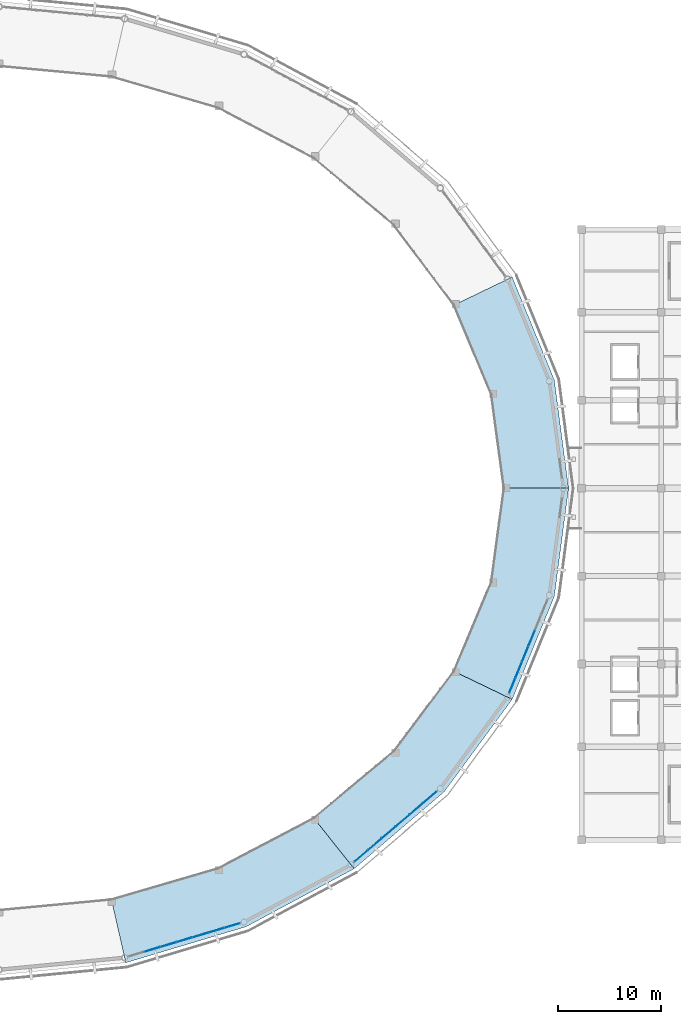
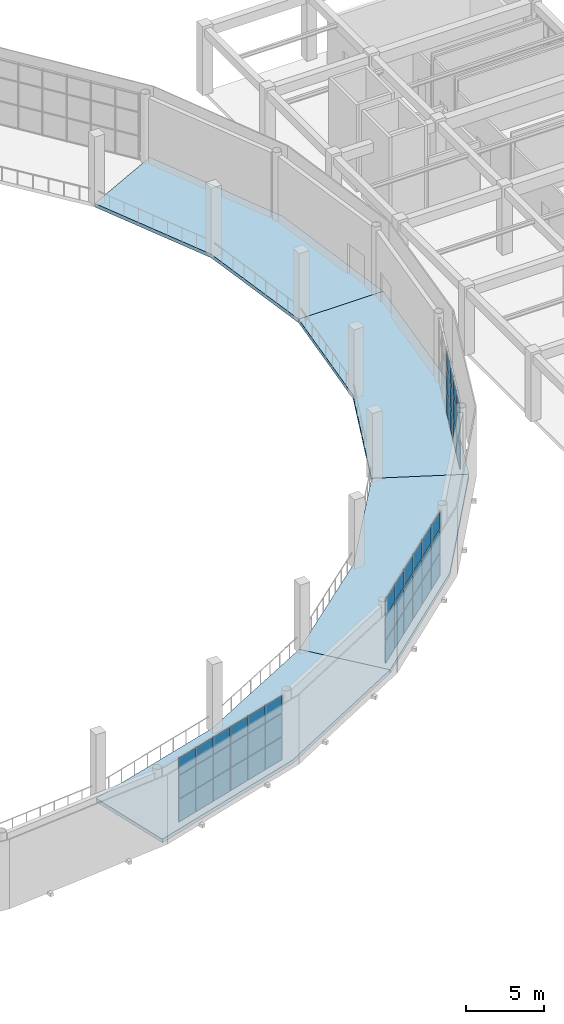
# One storey, part 26 of 40: 48 plates, 4 slabs, 3 elements without a shape of their own.
"""IFC4 building model written with IfcOpenShell, lengths in metres."""

from ifc_helpers import new_model, si_unit, direction, frame, origin, origin_2d, place, context, subcontext, project, spatial, polyline, rectangle, outline, extrude, material, layer, layer_set, type_object, element, aggregate, save


model = new_model("IFC4")

# Units and contexts
model_context = context("Model", 3, precision=1e-05, world=origin(), true_north=direction((0.0, 1.0)))
body_context = subcontext(model_context, "Body", "Model", "MODEL_VIEW")
ifc_project = project(units=[si_unit("LENGTHUNIT", "METRE"), si_unit("AREAUNIT", "SQUARE_METRE"), si_unit("VOLUMEUNIT", "CUBIC_METRE"), si_unit("PLANEANGLEUNIT", "RADIAN"), si_unit("MASSUNIT", "GRAM", prefix="KILO")], contexts=[model_context])

# Site, building, storey
site_placement = place(None, origin())
site = spatial("IfcSite", under=ifc_project, at=site_placement, CompositionType="ELEMENT")
building_placement = place(site_placement, origin())
building = spatial("IfcBuilding", under=site, at=building_placement, Name="Cuetzalor Civic Arena", CompositionType="ELEMENT")
storey_placement = place(building_placement, frame((0.0, 0.0, 26.39990234375)))
storey = spatial("IfcBuildingStorey", under=building, at=storey_placement, Name="L05", CompositionType="ELEMENT", Elevation=26.39990234375)

# Curtain wall, plates
ifc_material_1 = material(Name="Anodised dark bronze aluminium and low-E solar glass", Category="aluminium")
curtain_wall_type_1 = type_object("IfcCurtainWallType", Name="UnitisedCW_11300x5150", PredefinedType="USERDEFINED", material=ifc_material_1)
curtain_wall_1_placement = place(storey_placement, origin())
curtain_wall_1 = element("IfcCurtainWall", 1, at=curtain_wall_1_placement, inside=storey, type_object=curtain_wall_type_1, Name="Drum Triangle Foyer Curtain Wall L05-078", ObjectType="UNITISED CURTAIN WALL", PredefinedType="USERDEFINED")
ifc_material_2 = material(Name="Acoustic laminated solar control glass", Category="glass")
ifc_layer_1 = layer(ifc_material_2, 0.0439453125)
ifc_layer_set_1 = layer_set([ifc_layer_1], Name="Acoustic laminated solar control glass")
plate_type = type_object("IfcPlateType", Name="AcousticTripleGlazedPanel_44", PredefinedType="CURTAIN_PANEL", material=ifc_layer_set_1)
plate_1_placement = place(storey_placement, frame((22.53125, -42.279541015625, 0.0703125), z_axis=(0.0, 0.0, 1.0), x_axis=(-0.958193690548, -0.286120344251, 0.0)))
plate_1 = element("IfcPlate", 2, at=plate_1_placement, type_object=plate_type, Name="CW-21 panel 1.1", PredefinedType="CURTAIN_PANEL", context=body_context, shape_type="SweptSolid", body=[
    extrude(rectangle(XDim=1.5107421875, YDim=0.0439453125, at=origin_2d()), origin(), (0.0, 0.0, 1.0), 1.743896484375),
])
plate_2_placement = place(storey_placement, frame((22.53125, -42.279541015625, 1.88427734375), z_axis=(0.0, 0.0, 1.0), x_axis=(-0.958193690548, -0.286120344251, 0.0)))
plate_2 = element("IfcPlate", 3, at=plate_2_placement, type_object=plate_type, Name="CW-21 panel 1.2", PredefinedType="CURTAIN_PANEL", context=body_context, shape_type="SweptSolid", body=[
    extrude(rectangle(XDim=1.5107421875, YDim=0.0439453125, at=origin_2d()), origin(), (0.0, 0.0, 1.0), 1.779052734375),
])
plate_3_placement = place(storey_placement, frame((22.53125, -42.279541015625, 3.733154296875), z_axis=(0.0, 0.0, 1.0), x_axis=(-0.958193690548, -0.286120344251, 0.0)))
plate_3 = element("IfcPlate", 4, at=plate_3_placement, type_object=plate_type, Name="CW-21 panel 1.3", PredefinedType="CURTAIN_PANEL", context=body_context, shape_type="SweptSolid", body=[
    extrude(rectangle(XDim=1.5107421875, YDim=0.0439453125, at=origin_2d()), origin(), (0.0, 0.0, 1.0), 1.3330078125),
])
plate_4_placement = place(storey_placement, frame((20.999755859375, -42.73681640625, 0.0703125), z_axis=(0.0, 0.0, 1.0), x_axis=(-0.958193690548, -0.286120344251, 0.0)))
plate_4 = element("IfcPlate", 5, at=plate_4_placement, type_object=plate_type, Name="CW-21 panel 2.1", PredefinedType="CURTAIN_PANEL", context=body_context, shape_type="SweptSolid", body=[
    extrude(rectangle(XDim=1.545654296875, YDim=0.0439453125, at=origin_2d()), origin(), (0.0, 0.0, 1.0), 1.743896484375),
])
plate_5_placement = place(storey_placement, frame((20.999755859375, -42.73681640625, 1.88427734375), z_axis=(0.0, 0.0, 1.0), x_axis=(-0.958193690548, -0.286120344251, 0.0)))
plate_5 = element("IfcPlate", 6, at=plate_5_placement, type_object=plate_type, Name="CW-21 panel 2.2", PredefinedType="CURTAIN_PANEL", context=body_context, shape_type="SweptSolid", body=[
    extrude(rectangle(XDim=1.545654296875, YDim=0.0439453125, at=origin_2d()), origin(), (0.0, 0.0, 1.0), 1.779052734375),
])
plate_6_placement = place(storey_placement, frame((20.999755859375, -42.73681640625, 3.733154296875), z_axis=(0.0, 0.0, 1.0), x_axis=(-0.958193690548, -0.286120344251, 0.0)))
plate_6 = element("IfcPlate", 7, at=plate_6_placement, type_object=plate_type, Name="CW-21 panel 2.3", PredefinedType="CURTAIN_PANEL", context=body_context, shape_type="SweptSolid", body=[
    extrude(rectangle(XDim=1.545654296875, YDim=0.0439453125, at=origin_2d()), origin(), (0.0, 0.0, 1.0), 1.3330078125),
])
plate_7_placement = place(storey_placement, frame((19.45166015625, -43.19921875, 0.0703125), z_axis=(0.0, 0.0, 1.0), x_axis=(-0.958193690548, -0.286120344251, 0.0)))
plate_7 = element("IfcPlate", 8, at=plate_7_placement, type_object=plate_type, Name="CW-21 panel 3.1", PredefinedType="CURTAIN_PANEL", context=body_context, shape_type="SweptSolid", body=[
    extrude(rectangle(XDim=1.545654296875, YDim=0.0439453125, at=origin_2d()), origin(), (0.0, 0.0, 1.0), 1.743896484375),
])
plate_8_placement = place(storey_placement, frame((19.45166015625, -43.19921875, 1.88427734375), z_axis=(0.0, 0.0, 1.0), x_axis=(-0.958193690548, -0.286120344251, 0.0)))
plate_8 = element("IfcPlate", 9, at=plate_8_placement, type_object=plate_type, Name="CW-21 panel 3.2", PredefinedType="CURTAIN_PANEL", context=body_context, shape_type="SweptSolid", body=[
    extrude(rectangle(XDim=1.545654296875, YDim=0.0439453125, at=origin_2d()), origin(), (0.0, 0.0, 1.0), 1.779052734375),
])
plate_9_placement = place(storey_placement, frame((19.45166015625, -43.19921875, 3.733154296875), z_axis=(0.0, 0.0, 1.0), x_axis=(-0.958193690548, -0.286120344251, 0.0)))
plate_9 = element("IfcPlate", 10, at=plate_9_placement, type_object=plate_type, Name="CW-21 panel 3.3", PredefinedType="CURTAIN_PANEL", context=body_context, shape_type="SweptSolid", body=[
    extrude(rectangle(XDim=1.545654296875, YDim=0.0439453125, at=origin_2d()), origin(), (0.0, 0.0, 1.0), 1.3330078125),
])
plate_10_placement = place(storey_placement, frame((17.903564453125, -43.66162109375, 0.0703125), z_axis=(0.0, 0.0, 1.0), x_axis=(-0.958193690548, -0.286120344251, 0.0)))
plate_10 = element("IfcPlate", 11, at=plate_10_placement, type_object=plate_type, Name="CW-21 panel 4.1", PredefinedType="CURTAIN_PANEL", context=body_context, shape_type="SweptSolid", body=[
    extrude(rectangle(XDim=1.545654296875, YDim=0.0439453125, at=origin_2d()), origin(), (0.0, 0.0, 1.0), 1.743896484375),
])
plate_11_placement = place(storey_placement, frame((17.903564453125, -43.66162109375, 1.88427734375), z_axis=(0.0, 0.0, 1.0), x_axis=(-0.958193690548, -0.286120344251, 0.0)))
plate_11 = element("IfcPlate", 12, at=plate_11_placement, type_object=plate_type, Name="CW-21 panel 4.2", PredefinedType="CURTAIN_PANEL", context=body_context, shape_type="SweptSolid", body=[
    extrude(rectangle(XDim=1.545654296875, YDim=0.0439453125, at=origin_2d()), origin(), (0.0, 0.0, 1.0), 1.779052734375),
])
plate_12_placement = place(storey_placement, frame((17.903564453125, -43.66162109375, 3.733154296875), z_axis=(0.0, 0.0, 1.0), x_axis=(-0.958193690548, -0.286120344251, 0.0)))
plate_12 = element("IfcPlate", 13, at=plate_12_placement, type_object=plate_type, Name="CW-21 panel 4.3", PredefinedType="CURTAIN_PANEL", context=body_context, shape_type="SweptSolid", body=[
    extrude(rectangle(XDim=1.545654296875, YDim=0.0439453125, at=origin_2d()), origin(), (0.0, 0.0, 1.0), 1.3330078125),
])
plate_13_placement = place(storey_placement, frame((16.355224609375, -44.123779296875, 0.0703125), z_axis=(0.0, 0.0, 1.0), x_axis=(-0.958193690548, -0.286120344251, 0.0)))
plate_13 = element("IfcPlate", 14, at=plate_13_placement, type_object=plate_type, Name="CW-21 panel 5.1", PredefinedType="CURTAIN_PANEL", context=body_context, shape_type="SweptSolid", body=[
    extrude(rectangle(XDim=1.545654296875, YDim=0.0439453125, at=origin_2d()), origin(), (0.0, 0.0, 1.0), 1.743896484375),
])
plate_14_placement = place(storey_placement, frame((16.355224609375, -44.123779296875, 1.88427734375), z_axis=(0.0, 0.0, 1.0), x_axis=(-0.958193690548, -0.286120344251, 0.0)))
plate_14 = element("IfcPlate", 15, at=plate_14_placement, type_object=plate_type, Name="CW-21 panel 5.2", PredefinedType="CURTAIN_PANEL", context=body_context, shape_type="SweptSolid", body=[
    extrude(rectangle(XDim=1.545654296875, YDim=0.0439453125, at=origin_2d()), origin(), (0.0, 0.0, 1.0), 1.779052734375),
])
plate_15_placement = place(storey_placement, frame((16.355224609375, -44.123779296875, 3.733154296875), z_axis=(0.0, 0.0, 1.0), x_axis=(-0.958193690548, -0.286120344251, 0.0)))
plate_15 = element("IfcPlate", 16, at=plate_15_placement, type_object=plate_type, Name="CW-21 panel 5.3", PredefinedType="CURTAIN_PANEL", context=body_context, shape_type="SweptSolid", body=[
    extrude(rectangle(XDim=1.545654296875, YDim=0.0439453125, at=origin_2d()), origin(), (0.0, 0.0, 1.0), 1.3330078125),
])
plate_16_placement = place(storey_placement, frame((14.80712890625, -44.586181640625, 0.0703125), z_axis=(0.0, 0.0, 1.0), x_axis=(-0.958193690548, -0.286120344251, 0.0)))
plate_16 = element("IfcPlate", 17, at=plate_16_placement, type_object=plate_type, Name="CW-21 panel 6.1", PredefinedType="CURTAIN_PANEL", context=body_context, shape_type="SweptSolid", body=[
    extrude(rectangle(XDim=1.545654296875, YDim=0.0439453125, at=origin_2d()), origin(), (0.0, 0.0, 1.0), 1.743896484375),
])
plate_17_placement = place(storey_placement, frame((14.80712890625, -44.586181640625, 1.88427734375), z_axis=(0.0, 0.0, 1.0), x_axis=(-0.958193690548, -0.286120344251, 0.0)))
plate_17 = element("IfcPlate", 18, at=plate_17_placement, type_object=plate_type, Name="CW-21 panel 6.2", PredefinedType="CURTAIN_PANEL", context=body_context, shape_type="SweptSolid", body=[
    extrude(rectangle(XDim=1.545654296875, YDim=0.0439453125, at=origin_2d()), origin(), (0.0, 0.0, 1.0), 1.779052734375),
])
plate_18_placement = place(storey_placement, frame((14.80712890625, -44.586181640625, 3.733154296875), z_axis=(0.0, 0.0, 1.0), x_axis=(-0.958193690548, -0.286120344251, 0.0)))
plate_18 = element("IfcPlate", 19, at=plate_18_placement, type_object=plate_type, Name="CW-21 panel 6.3", PredefinedType="CURTAIN_PANEL", context=body_context, shape_type="SweptSolid", body=[
    extrude(rectangle(XDim=1.545654296875, YDim=0.0439453125, at=origin_2d()), origin(), (0.0, 0.0, 1.0), 1.3330078125),
])
aggregate(curtain_wall_1, [plate_1, plate_2, plate_3, plate_4, plate_5, plate_6, plate_7, plate_8, plate_9, plate_10, plate_11, plate_12, plate_13, plate_14, plate_15, plate_16, plate_17, plate_18])

ifc_material_3 = material(Name="Anodised dark bronze aluminium and low-E solar glass", Category="aluminium")
curtain_wall_type_2 = type_object("IfcCurtainWallType", Name="UnitisedCW_10550x5150", PredefinedType="USERDEFINED", material=ifc_material_3)
curtain_wall_2_placement = place(storey_placement, origin())
curtain_wall_2 = element("IfcCurtainWall", 20, at=curtain_wall_2_placement, inside=storey, type_object=curtain_wall_type_2, Name="Drum Triangle Foyer Curtain Wall L05-079", ObjectType="UNITISED CURTAIN WALL", PredefinedType="USERDEFINED")
plate_19_placement = place(storey_placement, frame((41.654541015625, -29.871826171875, 0.0703125), z_axis=(0.0, 0.0, 1.0), x_axis=(-0.760677142663, -0.64913040649, 0.0)))
plate_19 = element("IfcPlate", 21, at=plate_19_placement, type_object=plate_type, Name="CW-22 panel 1.1", PredefinedType="CURTAIN_PANEL", context=body_context, shape_type="SweptSolid", body=[
    extrude(rectangle(XDim=1.650146484375, YDim=0.0439453125, at=origin_2d()), origin(), (0.0, 0.0, 1.0), 1.743896484375),
])
plate_20_placement = place(storey_placement, frame((41.654541015625, -29.871826171875, 1.88427734375), z_axis=(0.0, 0.0, 1.0), x_axis=(-0.760677142663, -0.64913040649, 0.0)))
plate_20 = element("IfcPlate", 22, at=plate_20_placement, type_object=plate_type, Name="CW-22 panel 1.2", PredefinedType="CURTAIN_PANEL", context=body_context, shape_type="SweptSolid", body=[
    extrude(rectangle(XDim=1.650146484375, YDim=0.0439453125, at=origin_2d()), origin(), (0.0, 0.0, 1.0), 1.779052734375),
])
plate_21_placement = place(storey_placement, frame((41.654541015625, -29.871826171875, 3.733154296875), z_axis=(0.0, 0.0, 1.0), x_axis=(-0.760677142663, -0.64913040649, 0.0)))
plate_21 = element("IfcPlate", 23, at=plate_21_placement, type_object=plate_type, Name="CW-22 panel 1.3", PredefinedType="CURTAIN_PANEL", context=body_context, shape_type="SweptSolid", body=[
    extrude(rectangle(XDim=1.650146484375, YDim=0.0439453125, at=origin_2d()), origin(), (0.0, 0.0, 1.0), 1.3330078125),
])
plate_22_placement = place(storey_placement, frame((40.332763671875, -31.0, 0.0703125), z_axis=(0.0, 0.0, 1.0), x_axis=(-0.760677142663, -0.64913040649, 0.0)))
plate_22 = element("IfcPlate", 24, at=plate_22_placement, type_object=plate_type, Name="CW-22 panel 2.1", PredefinedType="CURTAIN_PANEL", context=body_context, shape_type="SweptSolid", body=[
    extrude(rectangle(XDim=1.68505859375, YDim=0.0439453125, at=origin_2d()), origin(), (0.0, 0.0, 1.0), 1.743896484375),
])
plate_23_placement = place(storey_placement, frame((40.332763671875, -31.0, 1.88427734375), z_axis=(0.0, 0.0, 1.0), x_axis=(-0.760677142663, -0.64913040649, 0.0)))
plate_23 = element("IfcPlate", 25, at=plate_23_placement, type_object=plate_type, Name="CW-22 panel 2.2", PredefinedType="CURTAIN_PANEL", context=body_context, shape_type="SweptSolid", body=[
    extrude(rectangle(XDim=1.68505859375, YDim=0.0439453125, at=origin_2d()), origin(), (0.0, 0.0, 1.0), 1.779052734375),
])
plate_24_placement = place(storey_placement, frame((40.332763671875, -31.0, 3.733154296875), z_axis=(0.0, 0.0, 1.0), x_axis=(-0.760677142663, -0.64913040649, 0.0)))
plate_24 = element("IfcPlate", 26, at=plate_24_placement, type_object=plate_type, Name="CW-22 panel 2.3", PredefinedType="CURTAIN_PANEL", context=body_context, shape_type="SweptSolid", body=[
    extrude(rectangle(XDim=1.68505859375, YDim=0.0439453125, at=origin_2d()), origin(), (0.0, 0.0, 1.0), 1.3330078125),
])
plate_25_placement = place(storey_placement, frame((38.997802734375, -32.13916015625, 0.0703125), z_axis=(0.0, 0.0, 1.0), x_axis=(-0.760677142663, -0.64913040649, 0.0)))
plate_25 = element("IfcPlate", 27, at=plate_25_placement, type_object=plate_type, Name="CW-22 panel 3.1", PredefinedType="CURTAIN_PANEL", context=body_context, shape_type="SweptSolid", body=[
    extrude(rectangle(XDim=1.68505859375, YDim=0.0439453125, at=origin_2d()), origin(), (0.0, 0.0, 1.0), 1.743896484375),
])
plate_26_placement = place(storey_placement, frame((38.997802734375, -32.13916015625, 1.88427734375), z_axis=(0.0, 0.0, 1.0), x_axis=(-0.760677142663, -0.64913040649, 0.0)))
plate_26 = element("IfcPlate", 28, at=plate_26_placement, type_object=plate_type, Name="CW-22 panel 3.2", PredefinedType="CURTAIN_PANEL", context=body_context, shape_type="SweptSolid", body=[
    extrude(rectangle(XDim=1.68505859375, YDim=0.0439453125, at=origin_2d()), origin(), (0.0, 0.0, 1.0), 1.779052734375),
])
plate_27_placement = place(storey_placement, frame((38.997802734375, -32.13916015625, 3.733154296875), z_axis=(0.0, 0.0, 1.0), x_axis=(-0.760677142663, -0.64913040649, 0.0)))
plate_27 = element("IfcPlate", 29, at=plate_27_placement, type_object=plate_type, Name="CW-22 panel 3.3", PredefinedType="CURTAIN_PANEL", context=body_context, shape_type="SweptSolid", body=[
    extrude(rectangle(XDim=1.68505859375, YDim=0.0439453125, at=origin_2d()), origin(), (0.0, 0.0, 1.0), 1.3330078125),
])
plate_28_placement = place(storey_placement, frame((37.66259765625, -33.278564453125, 0.0703125), z_axis=(0.0, 0.0, 1.0), x_axis=(-0.760677142663, -0.64913040649, 0.0)))
plate_28 = element("IfcPlate", 30, at=plate_28_placement, type_object=plate_type, Name="CW-22 panel 4.1", PredefinedType="CURTAIN_PANEL", context=body_context, shape_type="SweptSolid", body=[
    extrude(rectangle(XDim=1.68505859375, YDim=0.0439453125, at=origin_2d()), origin(), (0.0, 0.0, 1.0), 1.743896484375),
])
plate_29_placement = place(storey_placement, frame((37.66259765625, -33.278564453125, 1.88427734375), z_axis=(0.0, 0.0, 1.0), x_axis=(-0.760677142663, -0.64913040649, 0.0)))
plate_29 = element("IfcPlate", 31, at=plate_29_placement, type_object=plate_type, Name="CW-22 panel 4.2", PredefinedType="CURTAIN_PANEL", context=body_context, shape_type="SweptSolid", body=[
    extrude(rectangle(XDim=1.68505859375, YDim=0.0439453125, at=origin_2d()), origin(), (0.0, 0.0, 1.0), 1.779052734375),
])
plate_30_placement = place(storey_placement, frame((37.66259765625, -33.278564453125, 3.733154296875), z_axis=(0.0, 0.0, 1.0), x_axis=(-0.760677142663, -0.64913040649, 0.0)))
plate_30 = element("IfcPlate", 32, at=plate_30_placement, type_object=plate_type, Name="CW-22 panel 4.3", PredefinedType="CURTAIN_PANEL", context=body_context, shape_type="SweptSolid", body=[
    extrude(rectangle(XDim=1.68505859375, YDim=0.0439453125, at=origin_2d()), origin(), (0.0, 0.0, 1.0), 1.3330078125),
])
plate_31_placement = place(storey_placement, frame((36.327392578125, -34.41796875, 0.0703125), z_axis=(0.0, 0.0, 1.0), x_axis=(-0.760677142663, -0.64913040649, 0.0)))
plate_31 = element("IfcPlate", 33, at=plate_31_placement, type_object=plate_type, Name="CW-22 panel 5.1", PredefinedType="CURTAIN_PANEL", context=body_context, shape_type="SweptSolid", body=[
    extrude(rectangle(XDim=1.68505859375, YDim=0.0439453125, at=origin_2d()), origin(), (0.0, 0.0, 1.0), 1.743896484375),
])
plate_32_placement = place(storey_placement, frame((36.327392578125, -34.41796875, 1.88427734375), z_axis=(0.0, 0.0, 1.0), x_axis=(-0.760677142663, -0.64913040649, 0.0)))
plate_32 = element("IfcPlate", 34, at=plate_32_placement, type_object=plate_type, Name="CW-22 panel 5.2", PredefinedType="CURTAIN_PANEL", context=body_context, shape_type="SweptSolid", body=[
    extrude(rectangle(XDim=1.68505859375, YDim=0.0439453125, at=origin_2d()), origin(), (0.0, 0.0, 1.0), 1.779052734375),
])
plate_33_placement = place(storey_placement, frame((36.327392578125, -34.41796875, 3.733154296875), z_axis=(0.0, 0.0, 1.0), x_axis=(-0.760677142663, -0.64913040649, 0.0)))
plate_33 = element("IfcPlate", 35, at=plate_33_placement, type_object=plate_type, Name="CW-22 panel 5.3", PredefinedType="CURTAIN_PANEL", context=body_context, shape_type="SweptSolid", body=[
    extrude(rectangle(XDim=1.68505859375, YDim=0.0439453125, at=origin_2d()), origin(), (0.0, 0.0, 1.0), 1.3330078125),
])
plate_34_placement = place(storey_placement, frame((35.005615234375, -35.5458984375, 0.0703125), z_axis=(0.0, 0.0, 1.0), x_axis=(-0.760677142663, -0.64913040649, 0.0)))
plate_34 = element("IfcPlate", 36, at=plate_34_placement, type_object=plate_type, Name="CW-22 panel 6.1", PredefinedType="CURTAIN_PANEL", context=body_context, shape_type="SweptSolid", body=[
    extrude(rectangle(XDim=1.650146484375, YDim=0.0439453125, at=origin_2d()), origin(), (0.0, 0.0, 1.0), 1.743896484375),
])
plate_35_placement = place(storey_placement, frame((35.005615234375, -35.5458984375, 1.88427734375), z_axis=(0.0, 0.0, 1.0), x_axis=(-0.760677142663, -0.64913040649, 0.0)))
plate_35 = element("IfcPlate", 37, at=plate_35_placement, type_object=plate_type, Name="CW-22 panel 6.2", PredefinedType="CURTAIN_PANEL", context=body_context, shape_type="SweptSolid", body=[
    extrude(rectangle(XDim=1.650146484375, YDim=0.0439453125, at=origin_2d()), origin(), (0.0, 0.0, 1.0), 1.779052734375),
])
plate_36_placement = place(storey_placement, frame((35.005615234375, -35.5458984375, 3.733154296875), z_axis=(0.0, 0.0, 1.0), x_axis=(-0.760677142663, -0.64913040649, 0.0)))
plate_36 = element("IfcPlate", 38, at=plate_36_placement, type_object=plate_type, Name="CW-22 panel 6.3", PredefinedType="CURTAIN_PANEL", context=body_context, shape_type="SweptSolid", body=[
    extrude(rectangle(XDim=1.650146484375, YDim=0.0439453125, at=origin_2d()), origin(), (0.0, 0.0, 1.0), 1.3330078125),
])
aggregate(curtain_wall_2, [plate_19, plate_20, plate_21, plate_22, plate_23, plate_24, plate_25, plate_26, plate_27, plate_28, plate_29, plate_30, plate_31, plate_32, plate_33, plate_34, plate_35, plate_36])

ifc_material_4 = material(Name="Anodised dark bronze aluminium and low-E solar glass", Category="aluminium")
curtain_wall_type_3 = type_object("IfcCurtainWallType", Name="UnitisedCW_9850x5150", PredefinedType="USERDEFINED", material=ifc_material_4)
curtain_wall_3_placement = place(storey_placement, origin())
curtain_wall_3 = element("IfcCurtainWall", 39, at=curtain_wall_3_placement, inside=storey, type_object=curtain_wall_type_3, Name="Drum Triangle Foyer Curtain Wall L05-080", ObjectType="UNITISED CURTAIN WALL", PredefinedType="USERDEFINED")
plate_37_placement = place(storey_placement, frame((51.477294921875, -14.516357421875, 0.0703125), z_axis=(0.0, 0.0, 1.0), x_axis=(-0.379391428583, -0.925236263836, 0.0)))
plate_37 = element("IfcPlate", 40, at=plate_37_placement, type_object=plate_type, Name="CW-23 panel 3.1", PredefinedType="CURTAIN_PANEL", context=body_context, shape_type="SweptSolid", body=[
    extrude(rectangle(XDim=1.57568359375, YDim=0.0439453125, at=origin_2d()), origin(), (0.0, 0.0, 1.0), 1.743896484375),
])
plate_38_placement = place(storey_placement, frame((51.477294921875, -14.516357421875, 1.88427734375), z_axis=(0.0, 0.0, 1.0), x_axis=(-0.379391428583, -0.925236263836, 0.0)))
plate_38 = element("IfcPlate", 41, at=plate_38_placement, type_object=plate_type, Name="CW-23 panel 3.2", PredefinedType="CURTAIN_PANEL", context=body_context, shape_type="SweptSolid", body=[
    extrude(rectangle(XDim=1.57568359375, YDim=0.0439453125, at=origin_2d()), origin(), (0.0, 0.0, 1.0), 1.779052734375),
])
plate_39_placement = place(storey_placement, frame((51.477294921875, -14.516357421875, 3.733154296875), z_axis=(0.0, 0.0, 1.0), x_axis=(-0.379391428583, -0.925236263836, 0.0)))
plate_39 = element("IfcPlate", 42, at=plate_39_placement, type_object=plate_type, Name="CW-23 panel 3.3", PredefinedType="CURTAIN_PANEL", context=body_context, shape_type="SweptSolid", body=[
    extrude(rectangle(XDim=1.57568359375, YDim=0.0439453125, at=origin_2d()), origin(), (0.0, 0.0, 1.0), 1.3330078125),
])
plate_40_placement = place(storey_placement, frame((50.85302734375, -16.0390625, 0.0703125), z_axis=(0.0, 0.0, 1.0), x_axis=(-0.379391428583, -0.925236263836, 0.0)))
plate_40 = element("IfcPlate", 43, at=plate_40_placement, type_object=plate_type, Name="CW-23 panel 4.1", PredefinedType="CURTAIN_PANEL", context=body_context, shape_type="SweptSolid", body=[
    extrude(rectangle(XDim=1.57568359375, YDim=0.0439453125, at=origin_2d()), origin(), (0.0, 0.0, 1.0), 1.743896484375),
])
plate_41_placement = place(storey_placement, frame((50.85302734375, -16.0390625, 1.88427734375), z_axis=(0.0, 0.0, 1.0), x_axis=(-0.379391428583, -0.925236263836, 0.0)))
plate_41 = element("IfcPlate", 44, at=plate_41_placement, type_object=plate_type, Name="CW-23 panel 4.2", PredefinedType="CURTAIN_PANEL", context=body_context, shape_type="SweptSolid", body=[
    extrude(rectangle(XDim=1.57568359375, YDim=0.0439453125, at=origin_2d()), origin(), (0.0, 0.0, 1.0), 1.779052734375),
])
plate_42_placement = place(storey_placement, frame((50.85302734375, -16.0390625, 3.733154296875), z_axis=(0.0, 0.0, 1.0), x_axis=(-0.379391428583, -0.925236263836, 0.0)))
plate_42 = element("IfcPlate", 45, at=plate_42_placement, type_object=plate_type, Name="CW-23 panel 4.3", PredefinedType="CURTAIN_PANEL", context=body_context, shape_type="SweptSolid", body=[
    extrude(rectangle(XDim=1.57568359375, YDim=0.0439453125, at=origin_2d()), origin(), (0.0, 0.0, 1.0), 1.3330078125),
])
plate_43_placement = place(storey_placement, frame((50.228515625, -17.561767578125, 0.0703125), z_axis=(0.0, 0.0, 1.0), x_axis=(-0.379391428583, -0.925236263836, 0.0)))
plate_43 = element("IfcPlate", 46, at=plate_43_placement, type_object=plate_type, Name="CW-23 panel 5.1", PredefinedType="CURTAIN_PANEL", context=body_context, shape_type="SweptSolid", body=[
    extrude(rectangle(XDim=1.57568359375, YDim=0.0439453125, at=origin_2d()), origin(), (0.0, 0.0, 1.0), 1.743896484375),
])
plate_44_placement = place(storey_placement, frame((50.228515625, -17.561767578125, 1.88427734375), z_axis=(0.0, 0.0, 1.0), x_axis=(-0.379391428583, -0.925236263836, 0.0)))
plate_44 = element("IfcPlate", 47, at=plate_44_placement, type_object=plate_type, Name="CW-23 panel 5.2", PredefinedType="CURTAIN_PANEL", context=body_context, shape_type="SweptSolid", body=[
    extrude(rectangle(XDim=1.57568359375, YDim=0.0439453125, at=origin_2d()), origin(), (0.0, 0.0, 1.0), 1.779052734375),
])
plate_45_placement = place(storey_placement, frame((50.228515625, -17.561767578125, 3.733154296875), z_axis=(0.0, 0.0, 1.0), x_axis=(-0.379391428583, -0.925236263836, 0.0)))
plate_45 = element("IfcPlate", 48, at=plate_45_placement, type_object=plate_type, Name="CW-23 panel 5.3", PredefinedType="CURTAIN_PANEL", context=body_context, shape_type="SweptSolid", body=[
    extrude(rectangle(XDim=1.57568359375, YDim=0.0439453125, at=origin_2d()), origin(), (0.0, 0.0, 1.0), 1.3330078125),
])
plate_46_placement = place(storey_placement, frame((49.61083984375, -19.068359375, 0.0703125), z_axis=(0.0, 0.0, 1.0), x_axis=(-0.379391428583, -0.925236263836, 0.0)))
plate_46 = element("IfcPlate", 49, at=plate_46_placement, type_object=plate_type, Name="CW-23 panel 6.1", PredefinedType="CURTAIN_PANEL", context=body_context, shape_type="SweptSolid", body=[
    extrude(rectangle(XDim=1.540771484375, YDim=0.0439453125, at=origin_2d()), origin(), (0.0, 0.0, 1.0), 1.743896484375),
])
plate_47_placement = place(storey_placement, frame((49.61083984375, -19.068359375, 1.88427734375), z_axis=(0.0, 0.0, 1.0), x_axis=(-0.379391428583, -0.925236263836, 0.0)))
plate_47 = element("IfcPlate", 50, at=plate_47_placement, type_object=plate_type, Name="CW-23 panel 6.2", PredefinedType="CURTAIN_PANEL", context=body_context, shape_type="SweptSolid", body=[
    extrude(rectangle(XDim=1.540771484375, YDim=0.0439453125, at=origin_2d()), origin(), (0.0, 0.0, 1.0), 1.779052734375),
])
plate_48_placement = place(storey_placement, frame((49.61083984375, -19.068359375, 3.733154296875), z_axis=(0.0, 0.0, 1.0), x_axis=(-0.379391428583, -0.925236263836, 0.0)))
plate_48 = element("IfcPlate", 51, at=plate_48_placement, type_object=plate_type, Name="CW-23 panel 6.3", PredefinedType="CURTAIN_PANEL", context=body_context, shape_type="SweptSolid", body=[
    extrude(rectangle(XDim=1.540771484375, YDim=0.0439453125, at=origin_2d()), origin(), (0.0, 0.0, 1.0), 1.3330078125),
])
aggregate(curtain_wall_3, [plate_37, plate_38, plate_39, plate_40, plate_41, plate_42, plate_43, plate_44, plate_45, plate_46, plate_47, plate_48])

# Slabs
ifc_material_5 = material(Name="Concrete C35/45", Category="concrete")
ifc_layer_2 = layer(ifc_material_5, 0.280029296875)
ifc_layer_set_2 = layer_set([ifc_layer_2], Name="Concrete C35/45")
slab_type = type_object("IfcSlabType", Name="SuspendedFloorSlab_280", PredefinedType="FLOOR", material=ifc_layer_set_2)
slab_1_placement = place(storey_placement, frame((0.0, 0.0, -0.27978515625)))
element("IfcSlab", 52, at=slab_1_placement, inside=storey, type_object=slab_type, Name="Arena Concourse Sector Slab L05-01", PredefinedType="FLOOR", context=body_context, shape_type="SweptSolid", body=[
    extrude(outline(polyline([(48.800048828125, 0.0), (47.576416015625, 9.078857421875), (43.96728515625, 17.702392578125), (49.598388671875, 20.414306640625), (53.669921875, 10.469482421875), (55.050048828125, 0.0), (48.800048828125, 0.0)])), origin(), (0.0, 0.0, 1.0), 0.27978515625),
])
slab_2_placement = place(storey_placement, frame((0.0, 0.0, -0.27978515625)))
element("IfcSlab", 53, at=slab_2_placement, inside=storey, type_object=slab_type, Name="Arena Concourse Sector Slab L05-12", PredefinedType="FLOOR", context=body_context, shape_type="SweptSolid", body=[
    extrude(outline(polyline([(10.85888671875, -39.777099609375), (21.173583984375, -36.759521484375), (30.42626953125, -31.898681640625), (34.322998046875, -36.78515625), (23.88525390625, -42.390625), (12.249755859375, -45.870361328125), (10.85888671875, -39.777099609375)])), origin(), (0.0, 0.0, 1.0), 0.27978515625),
])
slab_3_placement = place(storey_placement, frame((0.0, 0.0, -0.27978515625)))
element("IfcSlab", 54, at=slab_3_placement, inside=storey, type_object=slab_type, Name="Arena Concourse Sector Slab L05-13", PredefinedType="FLOOR", context=body_context, shape_type="SweptSolid", body=[
    extrude(outline(polyline([(30.42626953125, -31.898681640625), (38.1533203125, -25.4384765625), (43.96728515625, -17.702392578125), (49.598388671875, -20.414306640625), (43.039794921875, -29.335205078125), (34.322998046875, -36.78515625), (30.42626953125, -31.898681640625)])), origin(), (0.0, 0.0, 1.0), 0.27978515625),
])
slab_4_placement = place(storey_placement, frame((0.0, 0.0, -0.27978515625)))
element("IfcSlab", 55, at=slab_4_placement, inside=storey, type_object=slab_type, Name="Arena Concourse Sector Slab L05-14", PredefinedType="FLOOR", context=body_context, shape_type="SweptSolid", body=[
    extrude(outline(polyline([(43.96728515625, -17.702392578125), (47.576416015625, -9.078857421875), (48.800048828125, 0.0), (55.050048828125, 0.0), (53.669921875, -10.469482421875), (49.598388671875, -20.414306640625), (43.96728515625, -17.702392578125)])), origin(), (0.0, 0.0, 1.0), 0.27978515625),
])

save(model, "model.ifc")
